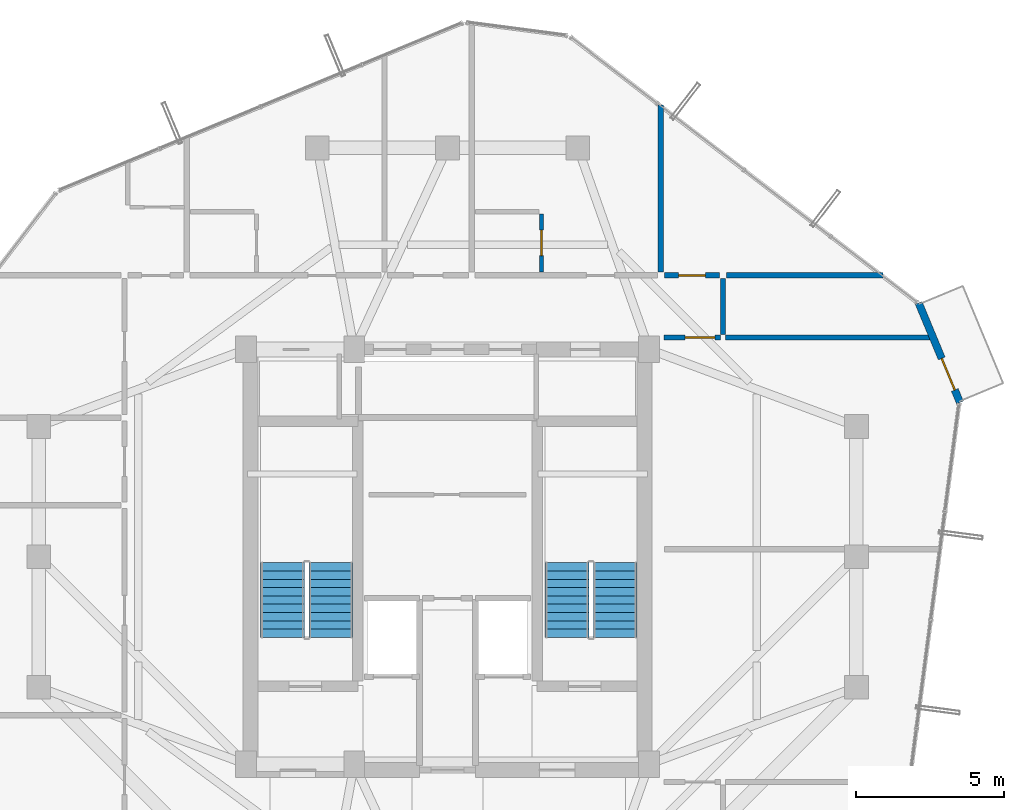
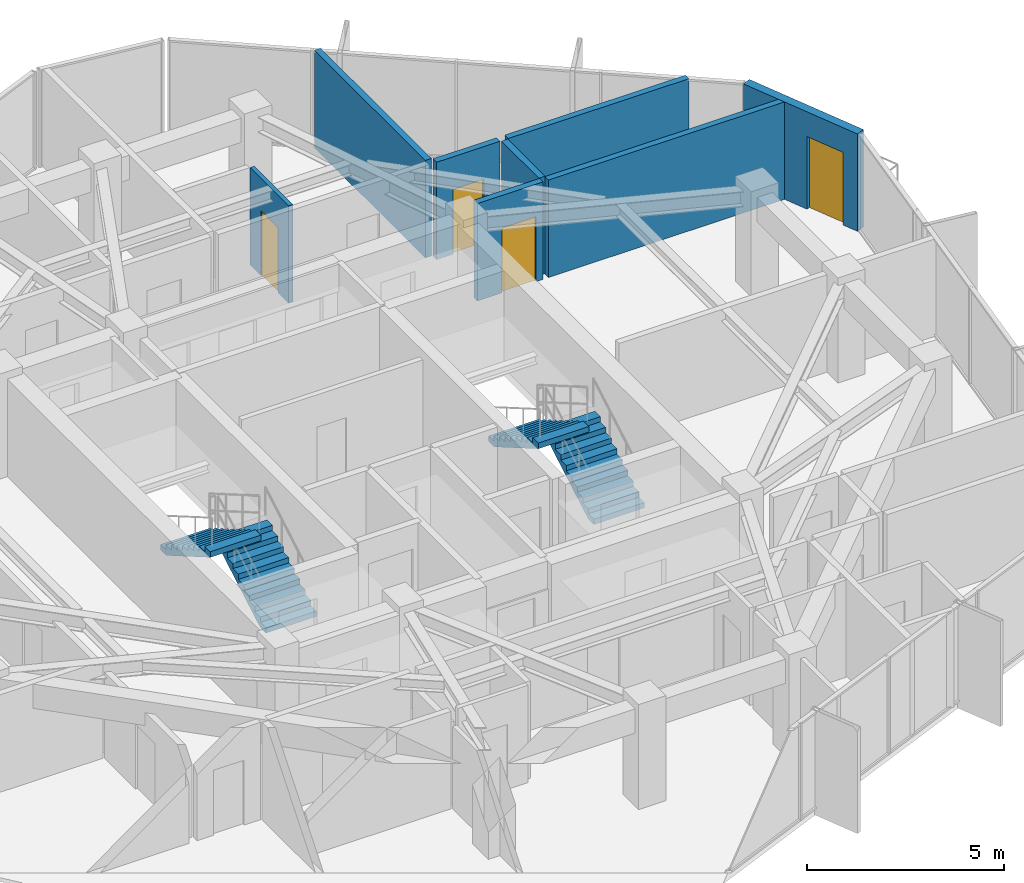
# One storey, part 29 of 31: 8 walls, 4 doors, 4 stair flights, 4 openings, 2 elements without a shape of their own.
"""IFC4 building model written with IfcOpenShell, lengths in metres."""

import ifcopenshell
import ifcopenshell.guid

model = None  # the IFC model being written
_history = None  # IfcOwnerHistory: only IFC2X3 demands one
_inside = {}  # id of a spatial element -> (the spatial element, [elements in it])
_under = {}  # id of a project, library or spatial element -> (it, [spatial elements below it])
_declared = {}  # id of a project -> (the project, [libraries it declares])
_typed = {}  # id of a type object -> (the type object, [elements of that type])
_made_of = {}  # id of a material, layer set ... -> (it, [elements and type objects made of it])


def new_model(schema):
    """Start an empty IFC model of exactly this schema.

    Asked for "IFC4X3", IfcOpenShell would pick the latest addendum, in which some entities
    have other attributes; the version numbers below select the first issue.
    IFC2X3 requires an IfcOwnerHistory on every rooted entity: one is made here for all.
    """
    global model, _history
    if schema == "IFC4X3":
        model = ifcopenshell.file(schema_version=(4, 3, 0, 0))
    else:
        model = ifcopenshell.file(schema=schema)
    _inside.clear()
    _under.clear()
    _declared.clear()
    _typed.clear()
    _made_of.clear()
    _history = None
    if model.schema == "IFC2X3":
        org = make("IfcOrganization", Name="unknown")
        user = make(
            "IfcPersonAndOrganization",
            ThePerson=make("IfcPerson", FamilyName="unknown"),
            TheOrganization=org,
        )
        app = make(
            "IfcApplication",
            ApplicationDeveloper=org,
            Version="unknown",
            ApplicationFullName="unknown",
            ApplicationIdentifier="unknown",
        )
        _history = make(
            "IfcOwnerHistory",
            OwningUser=user,
            OwningApplication=app,
            ChangeAction="ADDED",
            CreationDate=0,
        )
    return model


def make(cls, **values):
    """One entity of the class cls with the attributes given. An attribute that is None is left unset."""
    return model.create_entity(
        cls, **{name: value for name, value in values.items() if value is not None}
    )


def rooted(cls, **values):
    """An entity with a GlobalId (a new one), such as an element, a storey or a relation."""
    return make(cls, GlobalId=ifcopenshell.guid.new(), OwnerHistory=_history, **values)


def si_unit(unit_type, name, prefix=None):
    """IfcSIUnit, for example si_unit("LENGTHUNIT", "METRE", prefix="MILLI")."""
    return make("IfcSIUnit", UnitType=unit_type, Prefix=prefix, Name=name)


def assignment(units):
    """IfcUnitAssignment: the units of a project."""
    return None if units is None else make("IfcUnitAssignment", Units=units)


def point(xyz):
    """IfcCartesianPoint."""
    return None if xyz is None else make("IfcCartesianPoint", Coordinates=xyz)


def direction(xyz):
    """IfcDirection."""
    return None if xyz is None else make("IfcDirection", DirectionRatios=xyz)


def frame(location, z_axis=None, x_axis=None):
    """IfcAxis2Placement3D, a coordinate frame: its origin and axes. An axis left out is left unset."""
    return make(
        "IfcAxis2Placement3D",
        Location=point(location),
        Axis=direction(z_axis),
        RefDirection=direction(x_axis),
    )


def frame_2d(location, x_axis=None):
    """IfcAxis2Placement2D, a coordinate frame in the plane: its origin and x axis."""
    return make(
        "IfcAxis2Placement2D", Location=point(location), RefDirection=direction(x_axis)
    )


def origin():
    """The frame at (0, 0, 0) with its axes left unset."""
    return frame((0.0, 0.0, 0.0))


def place(relative_to, where):
    """IfcLocalPlacement: puts the frame where relative to a parent placement (None: the world)."""
    return make(
        "IfcLocalPlacement", PlacementRelTo=relative_to, RelativePlacement=where
    )


def context(
    kind, dimensions, precision=None, world=None, true_north=None, identifier=None
):
    """IfcGeometricRepresentationContext, for example the 3D "Model" context."""
    return make(
        "IfcGeometricRepresentationContext",
        ContextIdentifier=identifier,
        ContextType=kind,
        CoordinateSpaceDimension=dimensions,
        Precision=precision,
        WorldCoordinateSystem=world,
        TrueNorth=true_north,
    )


def subcontext(parent, identifier, kind, view, scale=None):
    """IfcGeometricRepresentationSubContext, for example "Body" below "Model"."""
    return make(
        "IfcGeometricRepresentationSubContext",
        ContextIdentifier=identifier,
        ContextType=kind,
        ParentContext=parent,
        TargetScale=scale,
        TargetView=view,
    )


def project(units=None, contexts=None):
    """IfcProject with its units and contexts."""
    return rooted(
        "IfcProject",
        Name="project",
        RepresentationContexts=contexts,
        UnitsInContext=assignment(units),
    )


def spatial(cls, under=None, at=None, **own):
    """A site, building, storey or space (cls), placed at a placement, below another one or the project."""
    s = rooted(cls, ObjectPlacement=at, **own)
    if under is not None:
        _under.setdefault(under.id(), (under, []))[1].append(s)
    return s


def polyline(points):
    """IfcPolyline through the points."""
    return make("IfcPolyline", Points=[point(p) for p in points])


def profile(cls, at=None, kind="AREA", **sizes):
    """A parametric profile (cls). Its sizes go by their IFC names, for example OverallWidth=200.0."""
    return make(cls, ProfileType=kind, Position=at, **sizes)


def rectangle(**sizes):
    """IfcRectangleProfileDef."""
    return profile("IfcRectangleProfileDef", **sizes)


def outline(outer, holes=None, kind="AREA"):
    """IfcArbitraryClosedProfileDef: a profile drawn as a closed curve; with holes, ...WithVoids."""
    if holes is None:
        return make("IfcArbitraryClosedProfileDef", ProfileType=kind, OuterCurve=outer)
    return make(
        "IfcArbitraryProfileDefWithVoids",
        ProfileType=kind,
        OuterCurve=outer,
        InnerCurves=holes,
    )


def extrude(swept, where, along, depth):
    """IfcExtrudedAreaSolid: the profile swept, set in the frame where, extruded along a direction by depth."""
    return make(
        "IfcExtrudedAreaSolid",
        SweptArea=swept,
        Position=where,
        ExtrudedDirection=direction(along),
        Depth=depth,
    )


def shape(context_of_items, identifier, shape_type, items):
    """IfcShapeRepresentation: the items that make up one representation, for example the "Body"."""
    return make(
        "IfcShapeRepresentation",
        ContextOfItems=context_of_items,
        RepresentationIdentifier=identifier,
        RepresentationType=shape_type,
        Items=items,
    )


def source(mapping_origin, context_of_items, identifier, shape_type, items):
    """IfcRepresentationMap: a shape defined once, which mapped items show again and again."""
    return make(
        "IfcRepresentationMap",
        MappingOrigin=mapping_origin,
        MappedRepresentation=shape(context_of_items, identifier, shape_type, items),
    )


def transform(
    local_origin,
    x_axis=None,
    y_axis=None,
    z_axis=None,
    scale=None,
    scale2=None,
    scale3=None,
    uniform=True,
):
    """IfcCartesianTransformationOperator3D, or its non-uniform kind. x_axis, y_axis, z_axis: its Axis1, 2, 3."""
    if uniform:
        return make(
            "IfcCartesianTransformationOperator3D",
            Axis1=direction(x_axis),
            Axis2=direction(y_axis),
            LocalOrigin=point(local_origin),
            Scale=scale,
            Axis3=direction(z_axis),
        )
    return make(
        "IfcCartesianTransformationOperator3DnonUniform",
        Axis1=direction(x_axis),
        Axis2=direction(y_axis),
        LocalOrigin=point(local_origin),
        Scale=scale,
        Axis3=direction(z_axis),
        Scale2=scale2,
        Scale3=scale3,
    )


def mapped(mapping_source, mapping_target):
    """IfcMappedItem: shows the shape of a source again, moved by a transform."""
    return make(
        "IfcMappedItem", MappingSource=mapping_source, MappingTarget=mapping_target
    )


def material(Name=None, Category=None):
    """IfcMaterial."""
    return make("IfcMaterial", Name=Name, Category=Category)


def layer(
    of_material, thickness, ventilated=None, Name=None, Category=None, Priority=None
):
    """IfcMaterialLayer: one layer of a wall or slab, of a material (None: an air gap)."""
    return make(
        "IfcMaterialLayer",
        Material=of_material,
        LayerThickness=thickness,
        IsVentilated=ventilated,
        Name=Name,
        Category=Category,
        Priority=Priority,
    )


def layer_set(layers, Name=None):
    """IfcMaterialLayerSet."""
    return make("IfcMaterialLayerSet", MaterialLayers=layers, LayerSetName=Name)


def made_of(thing, what):
    """Note that an element or type object is made of a material, layer set ...; save() writes the relation."""
    if what is not None:
        _made_of.setdefault(what.id(), (what, []))[1].append(thing)
    return thing


def type_object(cls, material=None, **own):
    """A type object (cls), such as IfcWallType, which elements share."""
    return made_of(rooted(cls, **own), material)


def element(
    cls,
    number,
    at=None,
    inside=None,
    cuts=None,
    type_object=None,
    material=None,
    context=None,
    identifier="Body",
    shape_type=None,
    held_by="IfcProductDefinitionShape",
    body=None,
    shapes=None,
    **own,
):
    """One element of the class cls, such as IfcWall. Its Tag is "e" and its number.

    at: its placement. inside: the storey or other place that contains it. cuts: it is an
    opening in that element (IfcRelVoidsElement). A single representation is given by context,
    identifier, shape_type and body (its items); several are given by shapes. held_by: the class
    of the entity that holds the representations. save() writes the other relations.
    """
    e = rooted(cls, Tag="e%d" % number, ObjectPlacement=at, **own)
    if body is not None:
        shapes = [shape(context, identifier, shape_type, body)]
    if shapes is not None:
        e.Representation = make(held_by, Representations=shapes)
    if inside is not None:
        _inside.setdefault(inside.id(), (inside, []))[1].append(e)
    if cuts is not None:
        rooted(
            "IfcRelVoidsElement", RelatingBuildingElement=cuts, RelatedOpeningElement=e
        )
    if type_object is not None:
        _typed.setdefault(type_object.id(), (type_object, []))[1].append(e)
    return made_of(e, material)


def fill(opening, filler):
    """IfcRelFillsElement: the door or window that sits in an opening."""
    return rooted(
        "IfcRelFillsElement",
        RelatingOpeningElement=opening,
        RelatedBuildingElement=filler,
    )


def aggregate(whole, parts):
    """IfcRelAggregates: a whole, such as a stair, and the parts it consists of."""
    return rooted("IfcRelAggregates", RelatingObject=whole, RelatedObjects=parts)


def save(model, path):
    """Write the relations noted so far, then the file.

    IfcRelAggregates (storeys below a building ...), IfcRelContainedInSpatialStructure (elements
    in a storey), IfcRelDefinesByType, IfcRelAssociatesMaterial and IfcRelDeclares: one each for
    every whole, place, type object, material and project.
    """
    for whole, parts in _under.values():
        aggregate(whole, parts)
    for where, things in _inside.values():
        rooted(
            "IfcRelContainedInSpatialStructure",
            RelatedElements=things,
            RelatingStructure=where,
        )
    for kind, things in _typed.values():
        rooted("IfcRelDefinesByType", RelatedObjects=things, RelatingType=kind)
    for what, things in _made_of.values():
        rooted("IfcRelAssociatesMaterial", RelatedObjects=things, RelatingMaterial=what)
    for by, libraries in _declared.values():
        rooted("IfcRelDeclares", RelatingContext=by, RelatedDefinitions=libraries)
    model.write(path)


model = new_model("IFC4")

# Units and contexts
model_context = context("Model", 3, precision=1e-05, world=origin(), true_north=direction((0.0, 1.0)))
body_context = subcontext(model_context, "Body", "Model", "MODEL_VIEW")
ifc_project = project(units=[si_unit("LENGTHUNIT", "METRE"), si_unit("AREAUNIT", "SQUARE_METRE"), si_unit("VOLUMEUNIT", "CUBIC_METRE"), si_unit("PLANEANGLEUNIT", "RADIAN"), si_unit("MASSUNIT", "GRAM", prefix="KILO")], contexts=[model_context])

# Site, building, storey
site_placement = place(None, origin())
site = spatial("IfcSite", under=ifc_project, at=site_placement, CompositionType="ELEMENT")
building_placement = place(site_placement, origin())
building = spatial("IfcBuilding", under=site, at=building_placement, Name="Veraguas Prism Commons", CompositionType="ELEMENT")
storey_placement = place(building_placement, frame((0.0, 0.0, 233.300048828125)))
storey = spatial("IfcBuildingStorey", under=building, at=storey_placement, Name="L66", CompositionType="ELEMENT", Elevation=233.300048828125)

# Walls
ifc_material_1 = material(Name="Autoclaved aerated masonry block 10 MPa", Category="masonry")
ifc_layer_1 = layer(ifc_material_1, 0.179931640625, Name="Corridor and Inter-Tenancy Partition 180", Category="masonry")
ifc_layer_set_1 = layer_set([ifc_layer_1], Name="Autoclaved aerated masonry block 10 MPa")
wall_type_1 = type_object("IfcWallType", Name="Corridor and Inter-Tenancy Partition 180", PredefinedType="PARTITIONING", material=ifc_layer_set_1)
wall_1_placement = place(storey_placement, frame((31.199951171875, 33.6201171875, 0.0), z_axis=(0.0, 0.0, 1.0), x_axis=(0.0, 1.0, 0.0)))
element("IfcWall", 1, at=wall_1_placement, inside=storey, type_object=wall_type_1, Name="WL-L66-PT014", PredefinedType="PARTITIONING", context=body_context, shape_type="SweptSolid", body=[
    extrude(rectangle(XDim=5.630126953125, YDim=0.179931640625, at=frame_2d((2.81494140625, 0.0))), origin(), (0.0, 0.0, 1.0), 3.014892578125),
])
wall_2_placement = place(storey_placement, frame((33.300048828125, 31.5, 0.0), z_axis=(0.0, 0.0, 1.0), x_axis=(0.0, 1.0, 0.0)))
element("IfcWall", 2, at=wall_2_placement, inside=storey, type_object=wall_type_1, Name="WL-L66-PT035", PredefinedType="PARTITIONING", context=body_context, shape_type="SweptSolid", body=[
    extrude(rectangle(XDim=1.89990234375, YDim=0.179931640625, at=frame_2d((0.949951171875, 0.0))), origin(), (0.0, 0.0, 1.0), 3.014892578125),
])

# Wall, opening, door
wall_3_placement = place(storey_placement, frame((31.300048828125, 31.39990234375, 0.0), z_axis=(0.0, 0.0, 1.0), x_axis=(1.0, 0.0, 0.0)))
wall_3 = element("IfcWall", 3, at=wall_3_placement, inside=storey, type_object=wall_type_1, Name="WL-L66-PT038", PredefinedType="PARTITIONING", context=body_context, shape_type="SweptSolid", body=[
    extrude(rectangle(XDim=1.919921875, YDim=0.179931640625, at=frame_2d((0.9599609375, 0.0))), origin(), (0.0, 0.0, 1.0), 3.014892578125),
])
opening_1_placement = place(wall_3_placement, frame((0.719970703125, 0.0, 0.0)))
opening_1 = element("IfcOpeningElement", 4, at=opening_1_placement, cuts=wall_3, Name="Opening DR-13", PredefinedType="OPENING", context=body_context, shape_type="SweptSolid", body=[
    extrude(rectangle(XDim=1.0, YDim=2.010009765625, at=frame_2d((0.5, 1.0048828125))), frame((0.0, 0.099853515625, 0.0), z_axis=(0.0, -1.0, 0.0), x_axis=(1.0, 0.0, 0.0)), (0.0, 0.0, 1.0), 0.199951171875),
])
ifc_material_2 = material(Name="Steel fire-rated door assembly", Category="steel")
door_type_1 = type_object("IfcDoorType", Name="Core Accessible WC and Clinic Fire Door 1000x2010", OperationType="NOTDEFINED", PredefinedType="DOOR", material=ifc_material_2)
shared_shape_1 = source(origin(), body_context, "Body", "SweptSolid", [
    extrude(rectangle(XDim=1.0, YDim=2.010009765625, at=frame_2d((0.5, 1.0048828125))), frame((0.0, 0.02490234375, 0.0), z_axis=(0.0, -1.0, 0.0), x_axis=(1.0, 0.0, 0.0)), (0.0, 0.0, 1.0), 0.050048828125),
])
door_1_placement = place(opening_1_placement, origin())
door_1 = element("IfcDoor", 5, at=door_1_placement, inside=storey, type_object=door_type_1, Name="Study Salon Door L66", OperationType="SINGLE_SWING_LEFT", OverallHeight=2.010009765625, OverallWidth=1.0, PredefinedType="DOOR", context=body_context, shape_type="MappedRepresentation", body=[
    mapped(shared_shape_1, transform((0.0, 0.0, 0.0), scale=1.0)),
])
fill(opening_1, door_1)

# Walls
wall_4_placement = place(storey_placement, frame((33.3798828125, 31.39990234375, 0.0), z_axis=(0.0, 0.0, 1.0), x_axis=(1.0, 0.0, 0.0)))
element("IfcWall", 6, at=wall_4_placement, inside=storey, type_object=wall_type_1, Name="WL-L66-PT039", PredefinedType="PARTITIONING", context=body_context, shape_type="SweptSolid", body=[
    extrude(rectangle(XDim=7.039306640625, YDim=0.179931640625, at=frame_2d((3.51953125, 0.0))), origin(), (0.0, 0.0, 1.0), 3.014892578125),
])
wall_5_placement = place(storey_placement, frame((33.419921875, 33.5, 0.0), z_axis=(0.0, 0.0, 1.0), x_axis=(1.0, 0.0, 0.0)))
element("IfcWall", 7, at=wall_5_placement, inside=storey, type_object=wall_type_1, Name="WL-L66-PT049", PredefinedType="PARTITIONING", context=body_context, shape_type="SweptSolid", body=[
    extrude(rectangle(XDim=5.284912109375, YDim=0.179931640625, at=frame_2d((2.642578125, 0.0))), origin(), (0.0, 0.0, 1.0), 3.014892578125),
])

# Wall, opening, door
wall_6_placement = place(storey_placement, frame((31.320068359375, 33.5, 0.0), z_axis=(0.0, 0.0, 1.0), x_axis=(1.0, 0.0, 0.0)))
wall_6 = element("IfcWall", 8, at=wall_6_placement, inside=storey, type_object=wall_type_1, Name="WL-L66-PT050", PredefinedType="PARTITIONING", context=body_context, shape_type="SweptSolid", body=[
    extrude(rectangle(XDim=1.85986328125, YDim=0.179931640625, at=frame_2d((0.929931640625, 0.0))), origin(), (0.0, 0.0, 1.0), 3.014892578125),
])
opening_2_placement = place(wall_6_placement, frame((0.47998046875, 0.0, 0.0)))
opening_2 = element("IfcOpeningElement", 9, at=opening_2_placement, cuts=wall_6, Name="Opening DR-14", PredefinedType="OPENING", context=body_context, shape_type="SweptSolid", body=[
    extrude(rectangle(XDim=0.89990234375, YDim=2.010009765625, at=frame_2d((0.449951171875, 1.0048828125))), frame((0.0, 0.099853515625, 0.0), z_axis=(0.0, -1.0, 0.0), x_axis=(1.0, 0.0, 0.0)), (0.0, 0.0, 1.0), 0.199951171875),
])
door_type_2 = type_object("IfcDoorType", Name="Core Service Room Fire Door 900x2010", OperationType="NOTDEFINED", PredefinedType="DOOR", material=ifc_material_2)
shared_shape_2 = source(origin(), body_context, "Body", "SweptSolid", [
    extrude(rectangle(XDim=0.89990234375, YDim=2.010009765625, at=frame_2d((0.449951171875, 1.0048828125))), frame((0.0, 0.02490234375, 0.0), z_axis=(0.0, -1.0, 0.0), x_axis=(1.0, 0.0, 0.0)), (0.0, 0.0, 1.0), 0.050048828125),
])
door_2_placement = place(opening_2_placement, origin())
door_2 = element("IfcDoor", 10, at=door_2_placement, inside=storey, type_object=door_type_2, Name="Residents Corner Study Room NE Door", OperationType="SINGLE_SWING_LEFT", OverallHeight=2.010009765625, OverallWidth=0.89990234375, PredefinedType="DOOR", context=body_context, shape_type="MappedRepresentation", body=[
    mapped(shared_shape_2, transform((0.0, 0.0, 0.0), scale=1.0)),
])
fill(opening_2, door_2)

ifc_material_3 = material(Name="Precast concrete C40/50", Category="concrete")
ifc_layer_2 = layer(ifc_material_3, 0.25, Name="External Loggia and Portal Wall 250", Category="concrete")
ifc_layer_set_2 = layer_set([ifc_layer_2], Name="Precast concrete C40/50")
wall_type_2 = type_object("IfcWallType", Name="External Loggia and Portal Wall 250", PredefinedType="SOLIDWALL", material=ifc_layer_set_2)
wall_7_placement = place(storey_placement, frame((41.296875, 29.206787109375, 0.0), z_axis=(0.0, 0.0, 1.0), x_axis=(-0.383320496462, 0.923615394519, 0.0)))
wall_7 = element("IfcWall", 11, at=wall_7_placement, inside=storey, type_object=wall_type_2, Name="Corner Loggia Wall L66-C1", PredefinedType="SOLIDWALL", context=body_context, shape_type="SweptSolid", body=[
    extrude(rectangle(XDim=3.642578125, YDim=0.25, at=frame_2d((1.8212890625, 0.0))), origin(), (0.0, 0.0, 1.0), 3.014892578125),
])
opening_3_placement = place(wall_7_placement, frame((0.4599609375, 0.0, 0.0)))
opening_3 = element("IfcOpeningElement", 12, at=opening_3_placement, cuts=wall_7, Name="Opening DR-10", PredefinedType="OPENING", context=body_context, shape_type="SweptSolid", body=[
    extrude(rectangle(XDim=1.14990234375, YDim=2.25, at=frame_2d((0.574951171875, 1.125))), frame((0.0, 0.135009765625, 0.0), z_axis=(0.0, -1.0, 0.0), x_axis=(1.0, 0.0, 0.0)), (0.0, 0.0, 1.0), 0.27001953125),
])
ifc_material_4 = material(Name="Anodised aluminium EN AW-6063 T6", Category="aluminium")
door_type_3 = type_object("IfcDoorType", Name="Glazed Loggia and Terrace Door 1150x2250", OperationType="NOTDEFINED", PredefinedType="DOOR", material=ifc_material_4)
shared_shape_3 = source(origin(), body_context, "Body", "SweptSolid", [
    extrude(rectangle(XDim=1.14990234375, YDim=2.25, at=frame_2d((0.574951171875, 1.125))), frame((0.0, 0.02490234375, 0.0), z_axis=(0.0, -1.0, 0.0), x_axis=(1.0, 0.0, 0.0)), (0.0, 0.0, 1.0), 0.050048828125),
])
door_3_placement = place(opening_3_placement, frame((1.14990234375, 0.0, 0.0), z_axis=(0.0, 0.0, 1.0), x_axis=(-1.0, 0.0, 0.0)))
door_3 = element("IfcDoor", 13, at=door_3_placement, inside=storey, type_object=door_type_3, Name="Recessed Loggia Door L66-C1", OperationType="SINGLE_SWING_RIGHT", OverallHeight=2.25, OverallWidth=1.14990234375, PredefinedType="DOOR", context=body_context, shape_type="MappedRepresentation", body=[
    mapped(shared_shape_3, transform((0.0, 0.0, 0.0), scale=1.0)),
])
fill(opening_3, door_3)

ifc_material_5 = material(Name="Lightweight acoustic gypsum board")
ifc_layer_3 = layer(ifc_material_5, 0.125, Name="Internal Apartment Room Partition 125")
ifc_layer_set_3 = layer_set([ifc_layer_3], Name="Lightweight acoustic gypsum board")
wall_type_3 = type_object("IfcWallType", Name="Internal Apartment Room Partition 125", PredefinedType="PARTITIONING", material=ifc_layer_set_3)
wall_8_placement = place(storey_placement, frame((27.169921875, 33.6201171875, 0.0), z_axis=(0.0, 0.0, 1.0), x_axis=(0.0, 1.0, 0.0)))
wall_8 = element("IfcWall", 14, at=wall_8_placement, inside=storey, type_object=wall_type_3, Name="WL-L66-PT022", PredefinedType="PARTITIONING", context=body_context, shape_type="SweptSolid", body=[
    extrude(rectangle(XDim=1.949951171875, YDim=0.125, at=frame_2d((0.97509765625, 0.0))), origin(), (0.0, 0.0, 1.0), 3.014892578125),
])
opening_4_placement = place(wall_8_placement, frame((0.544921875, 0.0, 0.0)))
opening_4 = element("IfcOpeningElement", 15, at=opening_4_placement, cuts=wall_8, Name="Opening DR-03", PredefinedType="OPENING", context=body_context, shape_type="SweptSolid", body=[
    extrude(rectangle(XDim=0.860107421875, YDim=2.010009765625, at=frame_2d((0.43017578125, 1.0048828125))), frame((0.0, 0.072509765625, 0.0), z_axis=(0.0, -1.0, 0.0), x_axis=(1.0, 0.0, 0.0)), (0.0, 0.0, 1.0), 0.14501953125),
])
ifc_material_6 = material(Name="Timber moisture-resistant leaf", Category="wood")
door_type_4 = type_object("IfcDoorType", Name="Internal Bathroom Door 860x2010", OperationType="NOTDEFINED", PredefinedType="DOOR", material=ifc_material_6)
shared_shape_4 = source(origin(), body_context, "Body", "SweptSolid", [
    extrude(rectangle(XDim=0.860107421875, YDim=2.010009765625, at=frame_2d((0.43017578125, 1.0048828125))), frame((0.0, 0.02490234375, 0.0), z_axis=(0.0, -1.0, 0.0), x_axis=(1.0, 0.0, 0.0)), (0.0, 0.0, 1.0), 0.050048828125),
])
door_4_placement = place(opening_4_placement, origin())
door_4 = element("IfcDoor", 16, at=door_4_placement, inside=storey, type_object=door_type_4, Name="Studio 66C Bathroom Door", OperationType="SINGLE_SWING_LEFT", OverallHeight=2.010009765625, OverallWidth=0.860107421875, PredefinedType="DOOR", context=body_context, shape_type="MappedRepresentation", body=[
    mapped(shared_shape_4, transform((0.0, 0.0, 0.0), scale=1.0)),
])
fill(opening_4, door_4)

# Stair, stair flights
ifc_material_7 = material(Name="Precast concrete C45/55", Category="concrete")
stair_type = type_object("IfcStairType", Name="Dogleg Core Stair 1480W 20R 05", PredefinedType="HALF_TURN_STAIR", material=ifc_material_7)
stair_1_placement = place(storey_placement, origin())
stair_1 = element("IfcStair", 17, at=stair_1_placement, inside=storey, type_object=stair_type, Name="Protected Exit Stair ST-01 L66", PredefinedType="HALF_TURN_STAIR")
stair_flight_type = type_object("IfcStairFlightType", Name="Precast Stair Flight 1480W 10R 05", PredefinedType="STRAIGHT", material=ifc_material_7)
stair_flight_1_placement = place(storey_placement, frame((20.06005859375, 21.280029296875, 0.0), z_axis=(0.0, 0.0, 1.0), x_axis=(0.0, 1.0, 0.0)))
stair_flight_1 = element("IfcStairFlight", 18, at=stair_flight_1_placement, type_object=stair_flight_type, Name="ST-05 Flight 1", NumberOfRisers=10, NumberOfTreads=9, PredefinedType="STRAIGHT", RiserHeight=0.1625, TreadLength=0.28, context=body_context, shape_type="SweptSolid", body=[
    extrude(outline(polyline([(0.0, 0.0), (0.0, 0.16259765625), (0.280029296875, 0.16259765625), (0.280029296875, 0.324951171875), (0.56005859375, 0.324951171875), (0.56005859375, 0.487548828125), (0.840087890625, 0.487548828125), (0.840087890625, 0.64990234375), (1.1201171875, 0.64990234375), (1.1201171875, 0.8125), (1.39990234375, 0.8125), (1.39990234375, 0.97509765625), (1.679931640625, 0.97509765625), (1.679931640625, 1.137451171875), (1.9599609375, 1.137451171875), (1.9599609375, 1.300048828125), (2.239990234375, 1.300048828125), (2.239990234375, 1.46240234375), (2.52001953125, 1.46240234375), (2.52001953125, 1.625), (2.52001953125, 1.2890625), (0.298583984375, 0.0), (0.0, 0.0)])), frame((0.0, 0.739990234375, 0.0), z_axis=(0.0, -1.0, 0.0), x_axis=(1.0, 0.0, 0.0)), (0.0, 0.0, 1.0), 1.47998046875),
])
stair_flight_2_placement = place(storey_placement, frame((18.429931640625, 23.800048828125, 1.625), z_axis=(0.0, 0.0, 1.0), x_axis=(0.0, -1.0, 0.0)))
stair_flight_2 = element("IfcStairFlight", 19, at=stair_flight_2_placement, type_object=stair_flight_type, Name="ST-05 Flight 2", NumberOfRisers=10, NumberOfTreads=9, PredefinedType="STRAIGHT", RiserHeight=0.1625, TreadLength=0.28, context=body_context, shape_type="SweptSolid", body=[
    extrude(outline(polyline([(0.0, 0.0), (0.0, 0.16259765625), (0.280029296875, 0.16259765625), (0.280029296875, 0.324951171875), (0.56005859375, 0.324951171875), (0.56005859375, 0.487548828125), (0.840087890625, 0.487548828125), (0.840087890625, 0.64990234375), (1.1201171875, 0.64990234375), (1.1201171875, 0.8125), (1.39990234375, 0.8125), (1.39990234375, 0.97509765625), (1.679931640625, 0.97509765625), (1.679931640625, 1.137451171875), (1.9599609375, 1.137451171875), (1.9599609375, 1.300048828125), (2.239990234375, 1.300048828125), (2.239990234375, 1.46240234375), (2.52001953125, 1.46240234375), (2.52001953125, 1.625), (2.52001953125, 1.2890625), (0.298583984375, 0.0), (0.0, 0.0)])), frame((0.0, 0.739990234375, 0.0), z_axis=(0.0, -1.0, 0.0), x_axis=(1.0, 0.0, 0.0)), (0.0, 0.0, 1.0), 1.47998046875),
])
aggregate(stair_1, [stair_flight_1, stair_flight_2])

stair_2_placement = place(storey_placement, origin())
stair_2 = element("IfcStair", 20, at=stair_2_placement, inside=storey, type_object=stair_type, Name="Protected Exit Stair ST-02 L66", PredefinedType="HALF_TURN_STAIR")
stair_flight_3_placement = place(storey_placement, frame((29.659912109375, 21.280029296875, 0.0), z_axis=(0.0, 0.0, 1.0), x_axis=(0.0, 1.0, 0.0)))
stair_flight_3 = element("IfcStairFlight", 21, at=stair_flight_3_placement, type_object=stair_flight_type, Name="ST-05 Flight 1", NumberOfRisers=10, NumberOfTreads=9, PredefinedType="STRAIGHT", RiserHeight=0.1625, TreadLength=0.28, context=body_context, shape_type="SweptSolid", body=[
    extrude(outline(polyline([(0.0, 0.0), (0.0, 0.16259765625), (0.280029296875, 0.16259765625), (0.280029296875, 0.324951171875), (0.56005859375, 0.324951171875), (0.56005859375, 0.487548828125), (0.840087890625, 0.487548828125), (0.840087890625, 0.64990234375), (1.1201171875, 0.64990234375), (1.1201171875, 0.8125), (1.39990234375, 0.8125), (1.39990234375, 0.97509765625), (1.679931640625, 0.97509765625), (1.679931640625, 1.137451171875), (1.9599609375, 1.137451171875), (1.9599609375, 1.300048828125), (2.239990234375, 1.300048828125), (2.239990234375, 1.46240234375), (2.52001953125, 1.46240234375), (2.52001953125, 1.625), (2.52001953125, 1.2890625), (0.298583984375, 0.0), (0.0, 0.0)])), frame((0.0, 0.739990234375, 0.0), z_axis=(0.0, -1.0, 0.0), x_axis=(1.0, 0.0, 0.0)), (0.0, 0.0, 1.0), 1.47998046875),
])
stair_flight_4_placement = place(storey_placement, frame((28.030029296875, 23.800048828125, 1.625), z_axis=(0.0, 0.0, 1.0), x_axis=(0.0, -1.0, 0.0)))
stair_flight_4 = element("IfcStairFlight", 22, at=stair_flight_4_placement, type_object=stair_flight_type, Name="ST-05 Flight 2", NumberOfRisers=10, NumberOfTreads=9, PredefinedType="STRAIGHT", RiserHeight=0.1625, TreadLength=0.28, context=body_context, shape_type="SweptSolid", body=[
    extrude(outline(polyline([(0.0, 0.0), (0.0, 0.16259765625), (0.280029296875, 0.16259765625), (0.280029296875, 0.324951171875), (0.56005859375, 0.324951171875), (0.56005859375, 0.487548828125), (0.840087890625, 0.487548828125), (0.840087890625, 0.64990234375), (1.1201171875, 0.64990234375), (1.1201171875, 0.8125), (1.39990234375, 0.8125), (1.39990234375, 0.97509765625), (1.679931640625, 0.97509765625), (1.679931640625, 1.137451171875), (1.9599609375, 1.137451171875), (1.9599609375, 1.300048828125), (2.239990234375, 1.300048828125), (2.239990234375, 1.46240234375), (2.52001953125, 1.46240234375), (2.52001953125, 1.625), (2.52001953125, 1.2890625), (0.298583984375, 0.0), (0.0, 0.0)])), frame((0.0, 0.739990234375, 0.0), z_axis=(0.0, -1.0, 0.0), x_axis=(1.0, 0.0, 0.0)), (0.0, 0.0, 1.0), 1.47998046875),
])
aggregate(stair_2, [stair_flight_3, stair_flight_4])

save(model, "model.ifc")
